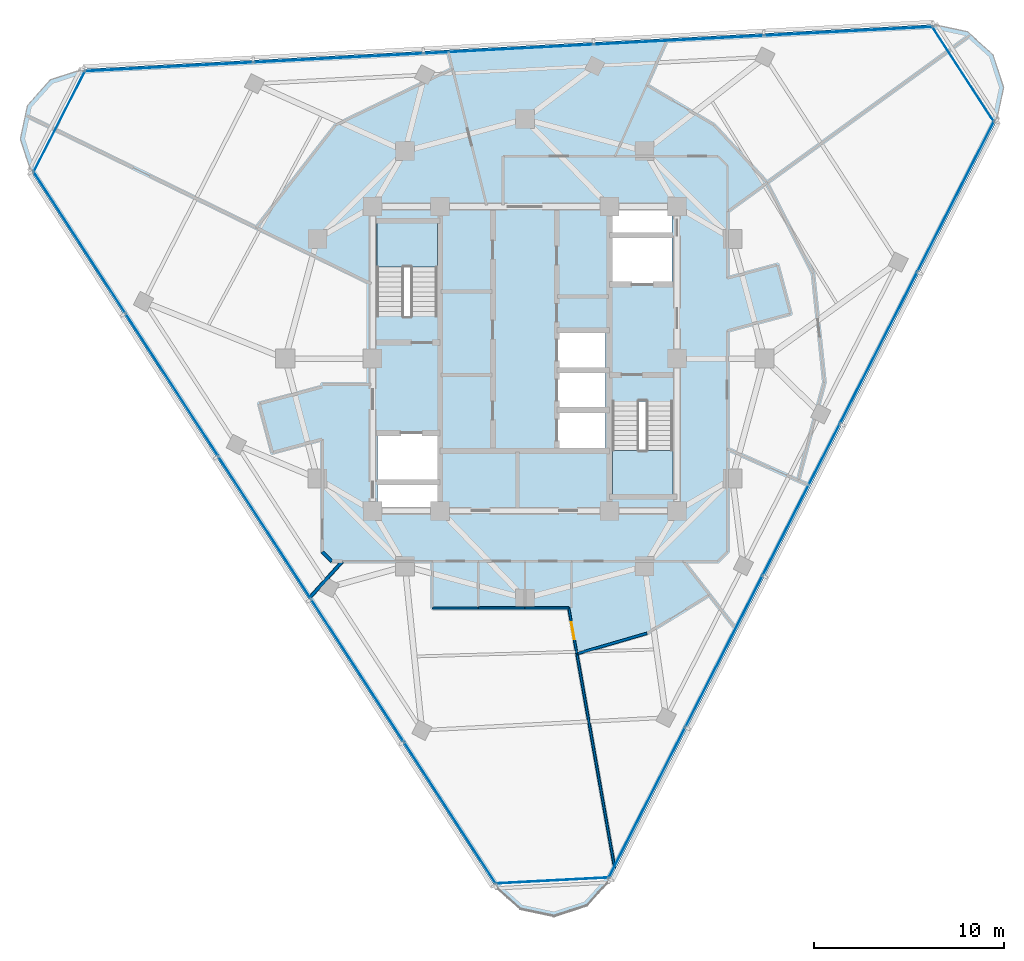
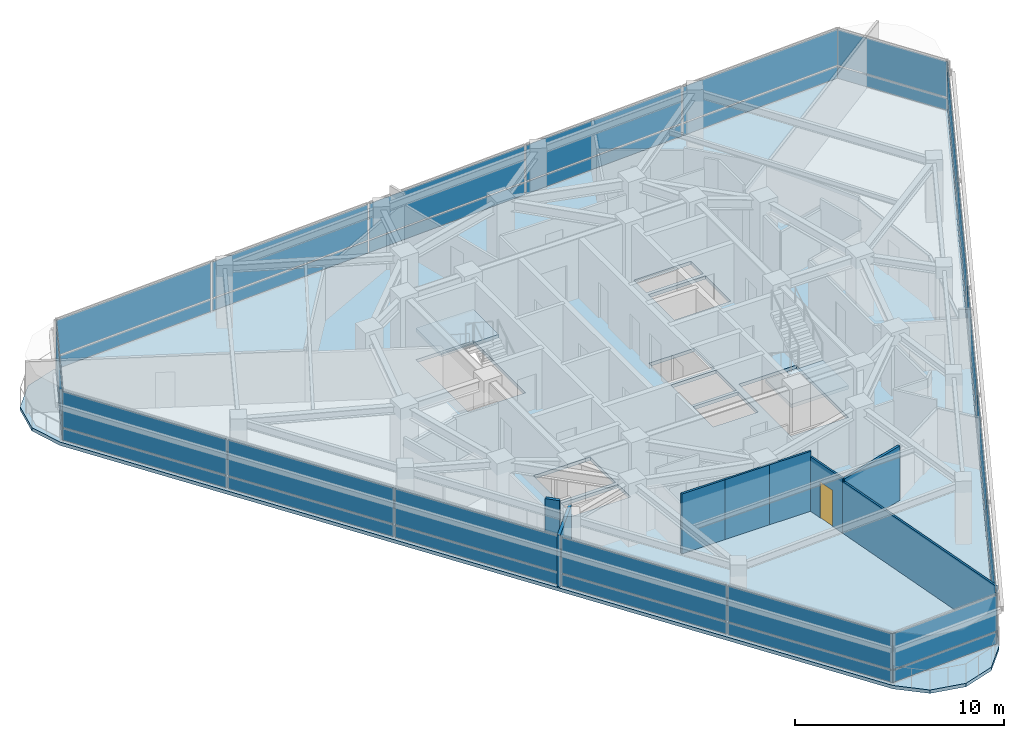
# One storey, part 7 of 15: 36 plates, 8 walls, 3 slabs, 1 door, 1 opening, 8 elements without a shape of their own.
"""IFC4 building model written with IfcOpenShell, lengths in metres."""

from ifc_helpers import new_model, si_unit, direction, frame, frame_2d, origin, origin_2d, place, context, subcontext, project, spatial, polyline, rectangle, outline, extrude, material, layer, layer_set, type_object, element, fill, aggregate, save


model = new_model("IFC4")

# Units and contexts
model_context = context("Model", 3, precision=1e-05, world=origin(), true_north=direction((0.0, 1.0)))
body_context = subcontext(model_context, "Body", "Model", "MODEL_VIEW")
ifc_project = project(units=[si_unit("LENGTHUNIT", "METRE"), si_unit("AREAUNIT", "SQUARE_METRE"), si_unit("VOLUMEUNIT", "CUBIC_METRE"), si_unit("PLANEANGLEUNIT", "RADIAN"), si_unit("MASSUNIT", "GRAM", prefix="KILO")], contexts=[model_context])

# Site, building, storey
site_placement = place(None, origin())
site = spatial("IfcSite", under=ifc_project, at=site_placement, CompositionType="ELEMENT")
building_placement = place(site_placement, origin())
building = spatial("IfcBuilding", under=site, at=building_placement, Name="Terralouvre Media Tower", CompositionType="ELEMENT")
storey_placement = place(building_placement, frame((0.0, 0.0, 255.89990234375)))
storey = spatial("IfcBuildingStorey", under=building, at=storey_placement, Name="L66", CompositionType="ELEMENT", Elevation=255.89990234375)

# Slab
ifc_material_1 = material(Name="Concrete C40/50", Category="concrete")
ifc_layer_1 = layer(ifc_material_1, 0.199951171875, Name="Composite Tower Floor Slab S-TYP200")
ifc_layer_set_1 = layer_set([ifc_layer_1], Name="Concrete C40/50")
slab_type_1 = type_object("IfcSlabType", Name="Composite Tower Floor Slab S-TYP200", PredefinedType="FLOOR", material=ifc_layer_set_1)
slab_1_placement = place(storey_placement, frame((0.0, 0.0, -0.199951171875), z_axis=(0.0, 0.0, 1.0), x_axis=(0.45399049974, 0.891006524188, 0.0)))
element("IfcSlab", 1, at=slab_1_placement, inside=storey, type_object=slab_type_1, Name="L66 Structural Floor Slab", PredefinedType="FLOOR", context=body_context, shape_type="SweptSolid", body=[
    extrude(outline(polyline([(-25.43115234375, -11.1826171875), (-25.89990234375, -12.9326171875), (-25.43115234375, -14.6826171875), (-24.14990234375, -15.963623046875), (-22.39990234375, -16.4326171875), (22.39990234375, -16.4326171875), (24.14990234375, -15.963623046875), (25.43115234375, -14.6826171875), (25.89990234375, -12.9326171875), (25.43115234375, -11.1826171875), (3.031005859375, 27.615234375), (1.75, 28.896484375), (0.0, 29.365234375), (-1.75, 28.896484375), (-3.031005859375, 27.615234375), (-25.43115234375, -11.1826171875)]), holes=[polyline([(-7.968994140625, 1.102294921875), (-9.0380859375, 0.5576171875), (-10.46826171875, 3.3642578125), (-9.399169921875, 3.908935546875), (-7.968994140625, 1.102294921875)]), polyline([(-5.60791015625, 2.305419921875), (-7.790771484375, 1.193115234375), (-9.220947265625, 3.999755859375), (-7.037841796875, 5.112060546875), (-5.60791015625, 2.305419921875)]), polyline([(-4.38037109375, -7.39453125), (0.088134765625, -5.117919921875), (1.53173828125, -7.951171875), (-2.936767578125, -10.22802734375), (-4.38037109375, -7.39453125)]), polyline([(-0.547607421875, -5.048828125), (-2.276123046875, -5.9296875), (-3.4111328125, -3.7021484375), (-1.6826171875, -2.8212890625), (-0.547607421875, -5.048828125)]), polyline([(1.323486328125, -4.095458984375), (-0.405029296875, -4.976318359375), (-1.5400390625, -2.748779296875), (0.188720703125, -1.867919921875), (1.323486328125, -4.095458984375)]), polyline([(3.194580078125, -3.14208984375), (1.466064453125, -4.02294921875), (0.3310546875, -1.79541015625), (2.059814453125, -0.91455078125), (3.194580078125, -3.14208984375)]), polyline([(4.38037109375, 7.39453125), (-0.088134765625, 5.117919921875), (-1.53173828125, 7.951171875), (2.936767578125, 10.22802734375), (4.38037109375, 7.39453125)]), polyline([(7.037841796875, -5.112060546875), (5.60791015625, -2.305419921875), (7.790771484375, -1.193115234375), (9.220947265625, -3.999755859375), (7.037841796875, -5.112060546875)]), polyline([(9.399169921875, -3.908935546875), (7.968994140625, -1.102294921875), (9.0380859375, -0.5576171875), (10.46826171875, -3.3642578125), (9.399169921875, -3.908935546875)])]), origin(), (0.0, 0.0, 1.0), 0.199951171875),
])

# Stair, slab
ifc_material_2 = material(Name="Concrete C45/55", Category="concrete")
stair_type_1 = type_object("IfcStairType", Name="Dogleg Stair Assembly ST-01", PredefinedType="HALF_TURN_STAIR", material=ifc_material_2)
stair_1_placement = place(storey_placement, origin())
stair_1 = element("IfcStair", 2, at=stair_1_placement, inside=storey, type_object=stair_type_1, Name="L66 Core Pressurised Exit Stair ST-01", PredefinedType="HALF_TURN_STAIR")
ifc_material_3 = material(Name="Concrete C45/55", Category="concrete")
ifc_layer_2 = layer(ifc_material_3, 0.199951171875, Name="Reinforced Concrete Stair Half-Landing SL-LD1")
ifc_layer_set_2 = layer_set([ifc_layer_2], Name="Concrete C45/55")
slab_type_2 = type_object("IfcSlabType", Name="Reinforced Concrete Stair Half-Landing SL-LD1", PredefinedType="LANDING", material=ifc_layer_set_2)
slab_2_placement = place(storey_placement, frame((0.0, 0.0, 1.650146484375)))
slab_2 = element("IfcSlab", 3, at=slab_2_placement, type_object=slab_type_2, Name="ST-01 landing 1", PredefinedType="LANDING", context=body_context, shape_type="SweptSolid", body=[
    extrude(outline(polyline([(-4.60009765625, 4.820068359375), (-4.60009765625, 7.260009765625), (-7.780029296875, 7.260009765625), (-7.780029296875, 4.820068359375), (-4.60009765625, 4.820068359375)])), origin(), (0.0, 0.0, 1.0), 0.199951171875),
])
aggregate(stair_1, [slab_2])

ifc_material_4 = material(Name="Concrete C45/55", Category="concrete")
stair_type_2 = type_object("IfcStairType", Name="Dogleg Stair Assembly ST-02", PredefinedType="HALF_TURN_STAIR", material=ifc_material_4)
stair_2_placement = place(storey_placement, origin())
stair_2 = element("IfcStair", 4, at=stair_2_placement, inside=storey, type_object=stair_type_2, Name="L66 Core Pressurised Exit Stair ST-02", PredefinedType="HALF_TURN_STAIR")
slab_3_placement = place(storey_placement, frame((0.0, 0.0, 1.650146484375)))
slab_3 = element("IfcSlab", 5, at=slab_3_placement, type_object=slab_type_2, Name="ST-02 landing 1", PredefinedType="LANDING", context=body_context, shape_type="SweptSolid", body=[
    extrude(outline(polyline([(4.60009765625, -4.820068359375), (4.60009765625, -7.260009765625), (7.780029296875, -7.260009765625), (7.780029296875, -4.820068359375), (4.60009765625, -4.820068359375)])), origin(), (0.0, 0.0, 1.0), 0.199951171875),
])
aggregate(stair_2, [slab_3])

# Curtain wall, plates
ifc_material_5 = material(Name="Low-iron laminated double glazing with solar-control coating", Category="glass")
ifc_layer_3 = layer(ifc_material_5, 0.1650390625, Name="Rounded Wind-Corner Curved Glazing CW-04")
ifc_layer_set_3 = layer_set([ifc_layer_3], Name="Low-iron laminated double glazing with solar-control coating")
curtain_wall_type_1 = type_object("IfcCurtainWallType", Name="Rounded Wind-Corner Curved Glazing CW-04", PredefinedType="NOTDEFINED", material=ifc_layer_set_3)
curtain_wall_1_placement = place(storey_placement, origin())
curtain_wall_1 = element("IfcCurtainWall", 6, at=curtain_wall_1_placement, inside=storey, type_object=curtain_wall_type_1, Name="L66 Rounded Wind-Corner Curtain Wall C0", PredefinedType="NOTDEFINED")
ifc_material_6 = material(Name="Low-iron laminated double glazing with solar-control coating", Category="glass")
ifc_layer_4 = layer(ifc_material_6, 0.0400390625, Name="Rounded Corner Laminated Vision Panel CWP-03")
ifc_layer_set_4 = layer_set([ifc_layer_4], Name="Low-iron laminated double glazing with solar-control coating")
plate_type_1 = type_object("IfcPlateType", Name="Rounded Corner Laminated Vision Panel CWP-03", PredefinedType="CURTAIN_PANEL", material=ifc_layer_set_4)
plate_1_placement = place(storey_placement, frame((1.43798828125, -27.437744140625, 0.0751953125), z_axis=(0.0, 0.0, 1.0), x_axis=(0.998629533744, 0.05233597552, 0.0)))
plate_1 = element("IfcPlate", 7, at=plate_1_placement, type_object=plate_type_1, Name="CW-04 panel 1.1", PredefinedType="CURTAIN_PANEL", context=body_context, shape_type="SweptSolid", body=[
    extrude(rectangle(XDim=5.912109375, YDim=0.035888671875, at=origin_2d()), origin(), (0.0, 0.0, 1.0), 0.6875),
])
plate_2_placement = place(storey_placement, frame((1.43798828125, -27.437744140625, 0.837646484375), z_axis=(0.0, 0.0, 1.0), x_axis=(0.998629533744, 0.05233597552, 0.0)))
plate_2 = element("IfcPlate", 8, at=plate_2_placement, type_object=plate_type_1, Name="CW-04 panel 1.2", PredefinedType="CURTAIN_PANEL", context=body_context, shape_type="SweptSolid", body=[
    extrude(rectangle(XDim=5.912109375, YDim=0.035888671875, at=origin_2d()), origin(), (0.0, 0.0, 1.0), 2.08740234375),
])
aggregate(curtain_wall_1, [plate_1, plate_2])

curtain_wall_2_placement = place(storey_placement, origin())
curtain_wall_2 = element("IfcCurtainWall", 9, at=curtain_wall_2_placement, inside=storey, type_object=curtain_wall_type_1, Name="L66 Rounded Wind-Corner Curtain Wall C1", PredefinedType="NOTDEFINED")
plate_3_placement = place(storey_placement, frame((23.042724609375, 14.964111328125, 0.0751953125), z_axis=(0.0, 0.0, 1.0), x_axis=(-0.544639197097, 0.838670462688, 0.0)))
plate_3 = element("IfcPlate", 10, at=plate_3_placement, type_object=plate_type_1, Name="CW-04 panel 1.1", PredefinedType="CURTAIN_PANEL", context=body_context, shape_type="SweptSolid", body=[
    extrude(rectangle(XDim=5.912109375, YDim=0.035888671875, at=origin_2d()), origin(), (0.0, 0.0, 1.0), 0.6875),
])
plate_4_placement = place(storey_placement, frame((23.042724609375, 14.964111328125, 0.837646484375), z_axis=(0.0, 0.0, 1.0), x_axis=(-0.544639197097, 0.838670462688, 0.0)))
plate_4 = element("IfcPlate", 11, at=plate_4_placement, type_object=plate_type_1, Name="CW-04 panel 1.2", PredefinedType="CURTAIN_PANEL", context=body_context, shape_type="SweptSolid", body=[
    extrude(rectangle(XDim=5.912109375, YDim=0.035888671875, at=origin_2d()), origin(), (0.0, 0.0, 1.0), 2.08740234375),
])
aggregate(curtain_wall_2, [plate_3, plate_4])

curtain_wall_3_placement = place(storey_placement, origin())
curtain_wall_3 = element("IfcCurtainWall", 12, at=curtain_wall_3_placement, inside=storey, type_object=curtain_wall_type_1, Name="L66 Rounded Wind-Corner Curtain Wall C2", PredefinedType="NOTDEFINED")
plate_5_placement = place(storey_placement, frame((-24.480712890625, 12.4736328125, 0.0751953125), z_axis=(0.0, 0.0, 1.0), x_axis=(-0.453990349937, -0.891006600517, 0.0)))
plate_5 = element("IfcPlate", 13, at=plate_5_placement, type_object=plate_type_1, Name="CW-04 panel 1.1", PredefinedType="CURTAIN_PANEL", context=body_context, shape_type="SweptSolid", body=[
    extrude(rectangle(XDim=5.912109375, YDim=0.035888671875, at=origin_2d()), origin(), (0.0, 0.0, 1.0), 0.6875),
])
plate_6_placement = place(storey_placement, frame((-24.480712890625, 12.4736328125, 0.837646484375), z_axis=(0.0, 0.0, 1.0), x_axis=(-0.453990349937, -0.891006600517, 0.0)))
plate_6 = element("IfcPlate", 14, at=plate_6_placement, type_object=plate_type_1, Name="CW-04 panel 1.2", PredefinedType="CURTAIN_PANEL", context=body_context, shape_type="SweptSolid", body=[
    extrude(rectangle(XDim=5.912109375, YDim=0.035888671875, at=origin_2d()), origin(), (0.0, 0.0, 1.0), 2.08740234375),
])
aggregate(curtain_wall_3, [plate_5, plate_6])

ifc_material_7 = material(Name="Low-iron laminated double glazing with solar-control coating", Category="glass")
ifc_layer_5 = layer(ifc_material_7, 0.1650390625, Name="Upper Executive Tower Curtain Wall CW-05")
ifc_layer_set_5 = layer_set([ifc_layer_5], Name="Low-iron laminated double glazing with solar-control coating")
curtain_wall_type_2 = type_object("IfcCurtainWallType", Name="Upper Executive Tower Curtain Wall CW-05", PredefinedType="NOTDEFINED", material=ifc_layer_set_5)
curtain_wall_4_placement = place(storey_placement, origin())
curtain_wall_4 = element("IfcCurtainWall", 15, at=curtain_wall_4_placement, inside=storey, type_object=curtain_wall_type_2, Name="L66 Facade Curtain Wall F0", PredefinedType="NOTDEFINED")
ifc_material_8 = material(Name="Low-iron laminated double glazing with solar-control coating", Category="glass")
ifc_layer_6 = layer(ifc_material_8, 0.035888671875, Name="Vision Double-Glazed Unit CWP-01")
ifc_layer_set_6 = layer_set([ifc_layer_6], Name="Low-iron laminated double glazing with solar-control coating")
plate_type_2 = type_object("IfcPlateType", Name="Vision Double-Glazed Unit CWP-01", PredefinedType="CURTAIN_PANEL", material=ifc_layer_set_6)
plate_7_placement = place(storey_placement, frame((6.40771484375, -23.35595703125, 0.0751953125), z_axis=(0.0, 0.0, 1.0), x_axis=(0.45399044259, 0.891006553308, 0.0)))
plate_7 = element("IfcPlate", 16, at=plate_7_placement, type_object=plate_type_2, Name="CW-05 panel 1.1", PredefinedType="CURTAIN_PANEL", context=body_context, shape_type="SweptSolid", body=[
    extrude(rectangle(XDim=8.847412109375, YDim=0.035888671875, at=origin_2d()), origin(), (0.0, 0.0, 1.0), 0.6875),
])
plate_8_placement = place(storey_placement, frame((6.40771484375, -23.35595703125, 0.837646484375), z_axis=(0.0, 0.0, 1.0), x_axis=(0.45399044259, 0.891006553308, 0.0)))
plate_8 = element("IfcPlate", 17, at=plate_8_placement, type_object=plate_type_2, Name="CW-05 panel 1.2", PredefinedType="CURTAIN_PANEL", context=body_context, shape_type="SweptSolid", body=[
    extrude(rectangle(XDim=8.847412109375, YDim=0.035888671875, at=origin_2d()), origin(), (0.0, 0.0, 1.0), 2.08740234375),
])
plate_9_placement = place(storey_placement, frame((10.467041015625, -15.38916015625, 0.0751953125), z_axis=(0.0, 0.0, 1.0), x_axis=(0.45399044259, 0.891006553308, 0.0)))
plate_9 = element("IfcPlate", 18, at=plate_9_placement, type_object=plate_type_2, Name="CW-05 panel 2.1", PredefinedType="CURTAIN_PANEL", context=body_context, shape_type="SweptSolid", body=[
    extrude(rectangle(XDim=8.885009765625, YDim=0.035888671875, at=origin_2d()), origin(), (0.0, 0.0, 1.0), 0.6875),
])
plate_10_placement = place(storey_placement, frame((10.467041015625, -15.38916015625, 0.837646484375), z_axis=(0.0, 0.0, 1.0), x_axis=(0.45399044259, 0.891006553308, 0.0)))
plate_10 = element("IfcPlate", 19, at=plate_10_placement, type_object=plate_type_2, Name="CW-05 panel 2.2", PredefinedType="CURTAIN_PANEL", context=body_context, shape_type="SweptSolid", body=[
    extrude(rectangle(XDim=8.885009765625, YDim=0.035888671875, at=origin_2d()), origin(), (0.0, 0.0, 1.0), 2.08740234375),
])
plate_11_placement = place(storey_placement, frame((14.53466796875, -7.40576171875, 0.0751953125), z_axis=(0.0, 0.0, 1.0), x_axis=(0.45399044259, 0.891006553308, 0.0)))
plate_11 = element("IfcPlate", 20, at=plate_11_placement, type_object=plate_type_2, Name="CW-05 panel 3.1", PredefinedType="CURTAIN_PANEL", context=body_context, shape_type="SweptSolid", body=[
    extrude(rectangle(XDim=8.885009765625, YDim=0.035888671875, at=origin_2d()), origin(), (0.0, 0.0, 1.0), 0.6875),
])
plate_12_placement = place(storey_placement, frame((14.53466796875, -7.40576171875, 0.837646484375), z_axis=(0.0, 0.0, 1.0), x_axis=(0.45399044259, 0.891006553308, 0.0)))
plate_12 = element("IfcPlate", 21, at=plate_12_placement, type_object=plate_type_2, Name="CW-05 panel 3.2", PredefinedType="CURTAIN_PANEL", context=body_context, shape_type="SweptSolid", body=[
    extrude(rectangle(XDim=8.885009765625, YDim=0.035888671875, at=origin_2d()), origin(), (0.0, 0.0, 1.0), 2.08740234375),
])
plate_13_placement = place(storey_placement, frame((18.6025390625, 0.57763671875, 0.0751953125), z_axis=(0.0, 0.0, 1.0), x_axis=(0.45399044259, 0.891006553308, 0.0)))
plate_13 = element("IfcPlate", 22, at=plate_13_placement, type_object=plate_type_2, Name="CW-05 panel 4.1", PredefinedType="CURTAIN_PANEL", context=body_context, shape_type="SweptSolid", body=[
    extrude(rectangle(XDim=8.885009765625, YDim=0.035888671875, at=origin_2d()), origin(), (0.0, 0.0, 1.0), 0.6875),
])
plate_14_placement = place(storey_placement, frame((18.6025390625, 0.57763671875, 0.837646484375), z_axis=(0.0, 0.0, 1.0), x_axis=(0.45399044259, 0.891006553308, 0.0)))
plate_14 = element("IfcPlate", 23, at=plate_14_placement, type_object=plate_type_2, Name="CW-05 panel 4.2", PredefinedType="CURTAIN_PANEL", context=body_context, shape_type="SweptSolid", body=[
    extrude(rectangle(XDim=8.885009765625, YDim=0.035888671875, at=origin_2d()), origin(), (0.0, 0.0, 1.0), 2.08740234375),
])
plate_15_placement = place(storey_placement, frame((22.66162109375, 8.54443359375, 0.0751953125), z_axis=(0.0, 0.0, 1.0), x_axis=(0.45399044259, 0.891006553308, 0.0)))
plate_15 = element("IfcPlate", 24, at=plate_15_placement, type_object=plate_type_2, Name="CW-05 panel 5.1", PredefinedType="CURTAIN_PANEL", context=body_context, shape_type="SweptSolid", body=[
    extrude(rectangle(XDim=8.847412109375, YDim=0.035888671875, at=origin_2d()), origin(), (0.0, 0.0, 1.0), 0.6875),
])
plate_16_placement = place(storey_placement, frame((22.66162109375, 8.54443359375, 0.837646484375), z_axis=(0.0, 0.0, 1.0), x_axis=(0.45399044259, 0.891006553308, 0.0)))
plate_16 = element("IfcPlate", 25, at=plate_16_placement, type_object=plate_type_2, Name="CW-05 panel 5.2", PredefinedType="CURTAIN_PANEL", context=body_context, shape_type="SweptSolid", body=[
    extrude(rectangle(XDim=8.847412109375, YDim=0.035888671875, at=origin_2d()), origin(), (0.0, 0.0, 1.0), 2.08740234375),
])
aggregate(curtain_wall_4, [plate_7, plate_8, plate_9, plate_10, plate_11, plate_12, plate_13, plate_14, plate_15, plate_16])

curtain_wall_5_placement = place(storey_placement, origin())
curtain_wall_5 = element("IfcCurtainWall", 26, at=curtain_wall_5_placement, inside=storey, type_object=curtain_wall_type_2, Name="L66 Facade Curtain Wall F1", PredefinedType="NOTDEFINED")
plate_17_placement = place(storey_placement, frame((17.02294921875, 17.22705078125, 0.0751953125), z_axis=(0.0, 0.0, 1.0), x_axis=(-0.998629523875, -0.052336163844, 0.0)))
plate_17 = element("IfcPlate", 27, at=plate_17_placement, type_object=plate_type_2, Name="CW-05 panel 1.1", PredefinedType="CURTAIN_PANEL", context=body_context, shape_type="SweptSolid", body=[
    extrude(rectangle(XDim=8.847412109375, YDim=0.035888671875, at=origin_2d()), origin(), (0.0, 0.0, 1.0), 0.6875),
])
plate_18_placement = place(storey_placement, frame((17.02294921875, 17.22705078125, 0.837646484375), z_axis=(0.0, 0.0, 1.0), x_axis=(-0.998629523875, -0.052336163844, 0.0)))
plate_18 = element("IfcPlate", 28, at=plate_18_placement, type_object=plate_type_2, Name="CW-05 panel 1.2", PredefinedType="CURTAIN_PANEL", context=body_context, shape_type="SweptSolid", body=[
    extrude(rectangle(XDim=8.847412109375, YDim=0.035888671875, at=origin_2d()), origin(), (0.0, 0.0, 1.0), 2.08740234375),
])
plate_19_placement = place(storey_placement, frame((8.093994140625, 16.75927734375, 0.0751953125), z_axis=(0.0, 0.0, 1.0), x_axis=(-0.998629523875, -0.052336163844, 0.0)))
plate_19 = element("IfcPlate", 29, at=plate_19_placement, type_object=plate_type_2, Name="CW-05 panel 2.1", PredefinedType="CURTAIN_PANEL", context=body_context, shape_type="SweptSolid", body=[
    extrude(rectangle(XDim=8.885009765625, YDim=0.035888671875, at=origin_2d()), origin(), (0.0, 0.0, 1.0), 0.6875),
])
plate_20_placement = place(storey_placement, frame((8.093994140625, 16.75927734375, 0.837646484375), z_axis=(0.0, 0.0, 1.0), x_axis=(-0.998629523875, -0.052336163844, 0.0)))
plate_20 = element("IfcPlate", 30, at=plate_20_placement, type_object=plate_type_2, Name="CW-05 panel 2.2", PredefinedType="CURTAIN_PANEL", context=body_context, shape_type="SweptSolid", body=[
    extrude(rectangle(XDim=8.885009765625, YDim=0.035888671875, at=origin_2d()), origin(), (0.0, 0.0, 1.0), 2.08740234375),
])
plate_21_placement = place(storey_placement, frame((-0.853759765625, 16.290283203125, 0.0751953125), z_axis=(0.0, 0.0, 1.0), x_axis=(-0.998629523875, -0.052336163844, 0.0)))
plate_21 = element("IfcPlate", 31, at=plate_21_placement, type_object=plate_type_2, Name="CW-05 panel 3.1", PredefinedType="CURTAIN_PANEL", context=body_context, shape_type="SweptSolid", body=[
    extrude(rectangle(XDim=8.885009765625, YDim=0.035888671875, at=origin_2d()), origin(), (0.0, 0.0, 1.0), 0.6875),
])
plate_22_placement = place(storey_placement, frame((-0.853759765625, 16.290283203125, 0.837646484375), z_axis=(0.0, 0.0, 1.0), x_axis=(-0.998629523875, -0.052336163844, 0.0)))
plate_22 = element("IfcPlate", 32, at=plate_22_placement, type_object=plate_type_2, Name="CW-05 panel 3.2", PredefinedType="CURTAIN_PANEL", context=body_context, shape_type="SweptSolid", body=[
    extrude(rectangle(XDim=8.885009765625, YDim=0.035888671875, at=origin_2d()), origin(), (0.0, 0.0, 1.0), 2.08740234375),
])
plate_23_placement = place(storey_placement, frame((-9.801513671875, 15.8212890625, 0.0751953125), z_axis=(0.0, 0.0, 1.0), x_axis=(-0.998629523875, -0.052336163844, 0.0)))
plate_23 = element("IfcPlate", 33, at=plate_23_placement, type_object=plate_type_2, Name="CW-05 panel 4.1", PredefinedType="CURTAIN_PANEL", context=body_context, shape_type="SweptSolid", body=[
    extrude(rectangle(XDim=8.885009765625, YDim=0.035888671875, at=origin_2d()), origin(), (0.0, 0.0, 1.0), 0.6875),
])
plate_24_placement = place(storey_placement, frame((-9.801513671875, 15.8212890625, 0.837646484375), z_axis=(0.0, 0.0, 1.0), x_axis=(-0.998629523875, -0.052336163844, 0.0)))
plate_24 = element("IfcPlate", 34, at=plate_24_placement, type_object=plate_type_2, Name="CW-05 panel 4.2", PredefinedType="CURTAIN_PANEL", context=body_context, shape_type="SweptSolid", body=[
    extrude(rectangle(XDim=8.885009765625, YDim=0.035888671875, at=origin_2d()), origin(), (0.0, 0.0, 1.0), 2.08740234375),
])
plate_25_placement = place(storey_placement, frame((-18.73046875, 15.353515625, 0.0751953125), z_axis=(0.0, 0.0, 1.0), x_axis=(-0.998629523875, -0.052336163844, 0.0)))
plate_25 = element("IfcPlate", 35, at=plate_25_placement, type_object=plate_type_2, Name="CW-05 panel 5.1", PredefinedType="CURTAIN_PANEL", context=body_context, shape_type="SweptSolid", body=[
    extrude(rectangle(XDim=8.847412109375, YDim=0.035888671875, at=origin_2d()), origin(), (0.0, 0.0, 1.0), 0.6875),
])
plate_26_placement = place(storey_placement, frame((-18.73046875, 15.353515625, 0.837646484375), z_axis=(0.0, 0.0, 1.0), x_axis=(-0.998629523875, -0.052336163844, 0.0)))
plate_26 = element("IfcPlate", 36, at=plate_26_placement, type_object=plate_type_2, Name="CW-05 panel 5.2", PredefinedType="CURTAIN_PANEL", context=body_context, shape_type="SweptSolid", body=[
    extrude(rectangle(XDim=8.847412109375, YDim=0.035888671875, at=origin_2d()), origin(), (0.0, 0.0, 1.0), 2.08740234375),
])
aggregate(curtain_wall_5, [plate_17, plate_18, plate_19, plate_20, plate_21, plate_22, plate_23, plate_24, plate_25, plate_26])

curtain_wall_6_placement = place(storey_placement, origin())
curtain_wall_6 = element("IfcCurtainWall", 37, at=curtain_wall_6_placement, inside=storey, type_object=curtain_wall_type_2, Name="L66 Facade Curtain Wall F2", PredefinedType="NOTDEFINED")
plate_27_placement = place(storey_placement, frame((-23.4306640625, 6.128662109375, 0.0751953125), z_axis=(0.0, 0.0, 1.0), x_axis=(0.544639069077, -0.838670545826, 0.0)))
plate_27 = element("IfcPlate", 38, at=plate_27_placement, type_object=plate_type_2, Name="CW-05 panel 1.1", PredefinedType="CURTAIN_PANEL", context=body_context, shape_type="SweptSolid", body=[
    extrude(rectangle(XDim=8.847412109375, YDim=0.035888671875, at=origin_2d()), origin(), (0.0, 0.0, 1.0), 0.6875),
])
plate_28_placement = place(storey_placement, frame((-23.4306640625, 6.128662109375, 0.837646484375), z_axis=(0.0, 0.0, 1.0), x_axis=(0.544639069077, -0.838670545826, 0.0)))
plate_28 = element("IfcPlate", 39, at=plate_28_placement, type_object=plate_type_2, Name="CW-05 panel 1.2", PredefinedType="CURTAIN_PANEL", context=body_context, shape_type="SweptSolid", body=[
    extrude(rectangle(XDim=8.847412109375, YDim=0.035888671875, at=origin_2d()), origin(), (0.0, 0.0, 1.0), 2.08740234375),
])
plate_29_placement = place(storey_placement, frame((-18.560791015625, -1.3701171875, 0.0751953125), z_axis=(0.0, 0.0, 1.0), x_axis=(0.544639069077, -0.838670545826, 0.0)))
plate_29 = element("IfcPlate", 40, at=plate_29_placement, type_object=plate_type_2, Name="CW-05 panel 2.1", PredefinedType="CURTAIN_PANEL", context=body_context, shape_type="SweptSolid", body=[
    extrude(rectangle(XDim=8.885009765625, YDim=0.035888671875, at=origin_2d()), origin(), (0.0, 0.0, 1.0), 0.6875),
])
plate_30_placement = place(storey_placement, frame((-18.560791015625, -1.3701171875, 0.837646484375), z_axis=(0.0, 0.0, 1.0), x_axis=(0.544639069077, -0.838670545826, 0.0)))
plate_30 = element("IfcPlate", 41, at=plate_30_placement, type_object=plate_type_2, Name="CW-05 panel 2.2", PredefinedType="CURTAIN_PANEL", context=body_context, shape_type="SweptSolid", body=[
    extrude(rectangle(XDim=8.885009765625, YDim=0.035888671875, at=origin_2d()), origin(), (0.0, 0.0, 1.0), 2.08740234375),
])
plate_31_placement = place(storey_placement, frame((-13.680908203125, -8.884521484375, 0.0751953125), z_axis=(0.0, 0.0, 1.0), x_axis=(0.544639069077, -0.838670545826, 0.0)))
plate_31 = element("IfcPlate", 42, at=plate_31_placement, type_object=plate_type_2, Name="CW-05 panel 3.1", PredefinedType="CURTAIN_PANEL", context=body_context, shape_type="SweptSolid", body=[
    extrude(rectangle(XDim=8.885009765625, YDim=0.035888671875, at=origin_2d()), origin(), (0.0, 0.0, 1.0), 0.6875),
])
plate_32_placement = place(storey_placement, frame((-13.680908203125, -8.884521484375, 0.837646484375), z_axis=(0.0, 0.0, 1.0), x_axis=(0.544639069077, -0.838670545826, 0.0)))
plate_32 = element("IfcPlate", 43, at=plate_32_placement, type_object=plate_type_2, Name="CW-05 panel 3.2", PredefinedType="CURTAIN_PANEL", context=body_context, shape_type="SweptSolid", body=[
    extrude(rectangle(XDim=8.885009765625, YDim=0.035888671875, at=origin_2d()), origin(), (0.0, 0.0, 1.0), 2.08740234375),
])
plate_33_placement = place(storey_placement, frame((-8.801025390625, -16.39892578125, 0.0751953125), z_axis=(0.0, 0.0, 1.0), x_axis=(0.544639069077, -0.838670545826, 0.0)))
plate_33 = element("IfcPlate", 44, at=plate_33_placement, type_object=plate_type_2, Name="CW-05 panel 4.1", PredefinedType="CURTAIN_PANEL", context=body_context, shape_type="SweptSolid", body=[
    extrude(rectangle(XDim=8.885009765625, YDim=0.035888671875, at=origin_2d()), origin(), (0.0, 0.0, 1.0), 0.6875),
])
plate_34_placement = place(storey_placement, frame((-8.801025390625, -16.39892578125, 0.837646484375), z_axis=(0.0, 0.0, 1.0), x_axis=(0.544639069077, -0.838670545826, 0.0)))
plate_34 = element("IfcPlate", 45, at=plate_34_placement, type_object=plate_type_2, Name="CW-05 panel 4.2", PredefinedType="CURTAIN_PANEL", context=body_context, shape_type="SweptSolid", body=[
    extrude(rectangle(XDim=8.885009765625, YDim=0.035888671875, at=origin_2d()), origin(), (0.0, 0.0, 1.0), 2.08740234375),
])
plate_35_placement = place(storey_placement, frame((-3.93115234375, -23.897705078125, 0.0751953125), z_axis=(0.0, 0.0, 1.0), x_axis=(0.544639069077, -0.838670545826, 0.0)))
plate_35 = element("IfcPlate", 46, at=plate_35_placement, type_object=plate_type_2, Name="CW-05 panel 5.1", PredefinedType="CURTAIN_PANEL", context=body_context, shape_type="SweptSolid", body=[
    extrude(rectangle(XDim=8.847412109375, YDim=0.035888671875, at=origin_2d()), origin(), (0.0, 0.0, 1.0), 0.6875),
])
plate_36_placement = place(storey_placement, frame((-3.93115234375, -23.897705078125, 0.837646484375), z_axis=(0.0, 0.0, 1.0), x_axis=(0.544639069077, -0.838670545826, 0.0)))
plate_36 = element("IfcPlate", 47, at=plate_36_placement, type_object=plate_type_2, Name="CW-05 panel 5.2", PredefinedType="CURTAIN_PANEL", context=body_context, shape_type="SweptSolid", body=[
    extrude(rectangle(XDim=8.847412109375, YDim=0.035888671875, at=origin_2d()), origin(), (0.0, 0.0, 1.0), 2.08740234375),
])
aggregate(curtain_wall_6, [plate_27, plate_28, plate_29, plate_30, plate_31, plate_32, plate_33, plate_34, plate_35, plate_36])

# Walls
ifc_material_9 = material(Name="Low-iron laminated double glazing with solar-control coating", Category="glass")
ifc_layer_7 = layer(ifc_material_9, 0.10009765625, Name="Demountable Glazed Office Partition PT-GL100")
ifc_layer_set_7 = layer_set([ifc_layer_7], Name="Low-iron laminated double glazing with solar-control coating")
wall_type_1 = type_object("IfcWallType", Name="Demountable Glazed Office Partition PT-GL100", PredefinedType="MOVABLE", material=ifc_layer_set_7)
wall_1_placement = place(storey_placement, frame((0.0, -13.10009765625, 0.0), z_axis=(0.0, 0.0, 1.0), x_axis=(-1.0, 0.0, 0.0)))
element("IfcWall", 48, at=wall_1_placement, inside=storey, type_object=wall_type_1, Name="L66 Interior Partition 037", PredefinedType="MOVABLE", context=body_context, shape_type="SweptSolid", body=[
    extrude(rectangle(XDim=2.449951171875, YDim=0.10009765625, at=frame_2d((1.22509765625, 0.0))), origin(), (0.0, 0.0, 1.0), 3.5),
])
wall_2_placement = place(storey_placement, frame((2.31005859375, -13.10009765625, 0.0), z_axis=(0.0, 0.0, 1.0), x_axis=(-1.0, 0.0, 0.0)))
element("IfcWall", 49, at=wall_2_placement, inside=storey, type_object=wall_type_1, Name="L66 Interior Partition 038", PredefinedType="MOVABLE", context=body_context, shape_type="SweptSolid", body=[
    extrude(rectangle(XDim=2.31005859375, YDim=0.10009765625, at=frame_2d((1.155029296875, 0.0))), origin(), (0.0, 0.0, 1.0), 3.5),
])
wall_3_placement = place(storey_placement, frame((4.718505859375, -26.75927734375, 0.0), z_axis=(0.0, 0.0, 1.0), x_axis=(-0.173635361328, 0.984810012793, 0.0)))
element("IfcWall", 50, at=wall_3_placement, inside=storey, type_object=wall_type_1, Name="L66 Interior Partition 039", PredefinedType="MOVABLE", context=body_context, shape_type="SweptSolid", body=[
    extrude(rectangle(XDim=11.4228515625, YDim=0.10009765625, at=frame_2d((5.71142578125, 0.0))), origin(), (0.0, 0.0, 1.0), 3.03515625),
])

# Wall, opening, door
wall_4_placement = place(storey_placement, frame((2.735107421875, -15.510009765625, 0.0), z_axis=(0.0, 0.0, 1.0), x_axis=(-0.173694270709, 0.984799624453, 0.0)))
wall_4 = element("IfcWall", 51, at=wall_4_placement, inside=storey, type_object=wall_type_1, Name="L66 Interior Partition 040", PredefinedType="MOVABLE", context=body_context, shape_type="SweptSolid", body=[
    extrude(rectangle(XDim=2.447021484375, YDim=0.10009765625, at=frame_2d((1.2236328125, 0.0))), origin(), (0.0, 0.0, 1.0), 3.18505859375),
])
opening_placement = place(wall_4_placement, frame((0.763671875, 0.0, 0.0)))
opening = element("IfcOpeningElement", 52, at=opening_placement, cuts=wall_4, Name="Opening ID-03-92X210", PredefinedType="OPENING", context=body_context, shape_type="SweptSolid", body=[
    extrude(rectangle(XDim=0.919921875, YDim=2.10009765625, at=frame_2d((0.4599609375, 1.050048828125))), frame((0.0, 0.06005859375, 0.0), z_axis=(0.0, -1.0, 0.0), x_axis=(1.0, 0.0, 0.0)), (0.0, 0.0, 1.0), 0.1201171875),
])
ifc_material_10 = material(Name="Engineered hardwood acoustic timber leaf", Category="wood")
door_type = type_object("IfcDoorType", Name="Accessible Restroom and Suite Door ID-03 (920x2100)", OperationType="NOTDEFINED", PredefinedType="DOOR", material=ifc_material_10)
door_placement = place(opening_placement, origin())
door = element("IfcDoor", 53, at=door_placement, inside=storey, type_object=door_type, Name="L66 Arts Critique Seminar Room 3 Door", OperationType="SINGLE_SWING_RIGHT", OverallHeight=2.10009765625, OverallWidth=0.919921875, PredefinedType="DOOR", context=body_context, shape_type="SweptSolid", body=[
    extrude(rectangle(XDim=0.919921875, YDim=2.10009765625, at=frame_2d((0.4599609375, 1.050048828125))), frame((0.0, 0.02490234375, 0.0), z_axis=(0.0, -1.0, 0.0), x_axis=(1.0, 0.0, 0.0)), (0.0, 0.0, 1.0), 0.050048828125),
])
fill(opening, door)

# Walls
ifc_material_11 = material(Name="Fire-rated gypsum board drywall partition")
ifc_layer_8 = layer(ifc_material_11, 0.135009765625, Name="Newsroom Acoustic Partition PT-135")
ifc_layer_set_8 = layer_set([ifc_layer_8], Name="Fire-rated gypsum board drywall partition")
wall_type_2 = type_object("IfcWallType", Name="Newsroom Acoustic Partition PT-135", PredefinedType="PARTITIONING", material=ifc_layer_set_8)
wall_5_placement = place(storey_placement, frame((6.426025390625, -14.43408203125, 0.0), z_axis=(0.0, 0.0, 1.0), x_axis=(-0.960041241254, -0.279858562654, 0.0)))
element("IfcWall", 54, at=wall_5_placement, inside=storey, type_object=wall_type_2, Name="L66 Interior Partition 044", PredefinedType="PARTITIONING", context=body_context, shape_type="SweptSolid", body=[
    extrude(rectangle(XDim=3.844482421875, YDim=0.135009765625, at=frame_2d((1.92236328125, 0.0))), origin(), (0.0, 0.0, 1.0), 3.18505859375),
])
ifc_material_12 = material(Name="Fire-rated gypsum board drywall partition")
ifc_layer_9 = layer(ifc_material_12, 0.114990234375, Name="Restroom and Pantry Partition PT-115")
ifc_layer_set_9 = layer_set([ifc_layer_9], Name="Fire-rated gypsum board drywall partition")
wall_type_3 = type_object("IfcWallType", Name="Restroom and Pantry Partition PT-115", PredefinedType="PARTITIONING", material=ifc_layer_set_9)
wall_6_placement = place(storey_placement, frame((-4.85009765625, -13.10009765625, 0.0), z_axis=(0.0, 0.0, 1.0), x_axis=(1.0, 0.0, 0.0)))
element("IfcWall", 55, at=wall_6_placement, inside=storey, type_object=wall_type_3, Name="L66 Interior Partition 035", PredefinedType="PARTITIONING", context=body_context, shape_type="SweptSolid", body=[
    extrude(rectangle(XDim=2.400146484375, YDim=0.114990234375, at=frame_2d((1.2001953125, 0.0))), origin(), (0.0, 0.0, 1.0), 3.5),
])
ifc_material_13 = material(Name="Fire-rated gypsum board drywall partition")
ifc_layer_10 = layer(ifc_material_13, 0.159912109375, Name="Studio Acoustic Rated Partition PT-160")
ifc_layer_set_10 = layer_set([ifc_layer_10], Name="Fire-rated gypsum board drywall partition")
wall_type_4 = type_object("IfcWallType", Name="Studio Acoustic Rated Partition PT-160", PredefinedType="PARTITIONING", material=ifc_layer_set_10)
wall_7_placement = place(storey_placement, frame((-10.64990234375, -10.14990234375, 0.0), z_axis=(0.0, 0.0, 1.0), x_axis=(0.707106781187, -0.707106781187, 0.0)))
element("IfcWall", 56, at=wall_7_placement, inside=storey, type_object=wall_type_4, Name="L66 Interior Partition 006", PredefinedType="PARTITIONING", context=body_context, shape_type="SweptSolid", body=[
    extrude(rectangle(XDim=0.70703125, YDim=0.159912109375, at=frame_2d((0.353515625, 0.0))), origin(), (0.0, 0.0, 1.0), 3.5),
])
wall_8_placement = place(storey_placement, frame((-11.327880859375, -12.5810546875, 0.0), z_axis=(0.0, 0.0, 1.0), x_axis=(0.669120437161, 0.743153981739, 0.0)))
element("IfcWall", 57, at=wall_8_placement, inside=storey, type_object=wall_type_4, Name="L66 Interior Partition 026", PredefinedType="PARTITIONING", context=body_context, shape_type="SweptSolid", body=[
    extrude(rectangle(XDim=2.5986328125, YDim=0.159912109375, at=frame_2d((1.29931640625, 0.0))), origin(), (0.0, 0.0, 1.0), 3.03515625),
])

save(model, "model.ifc")
